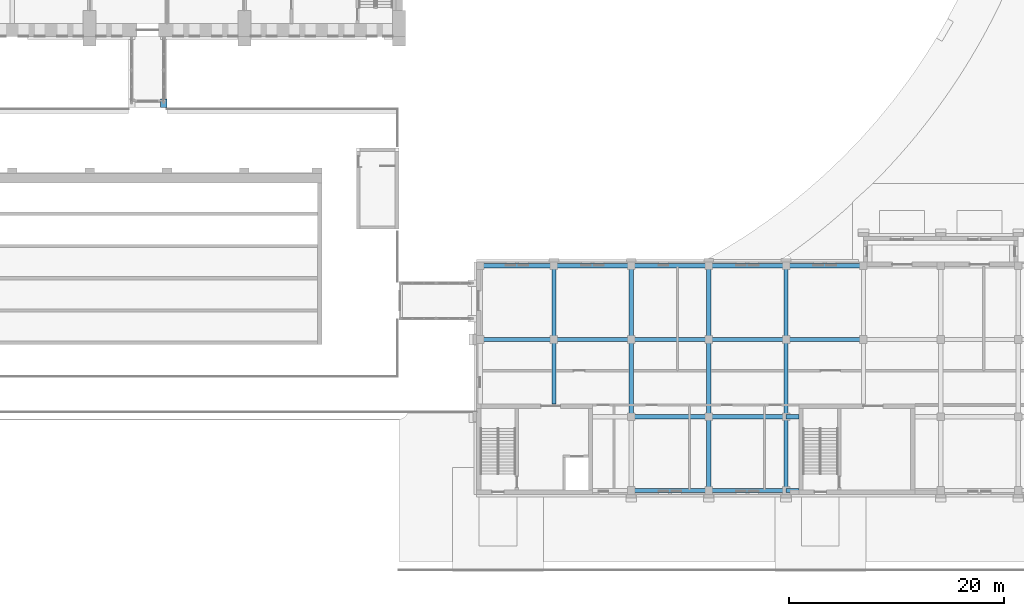
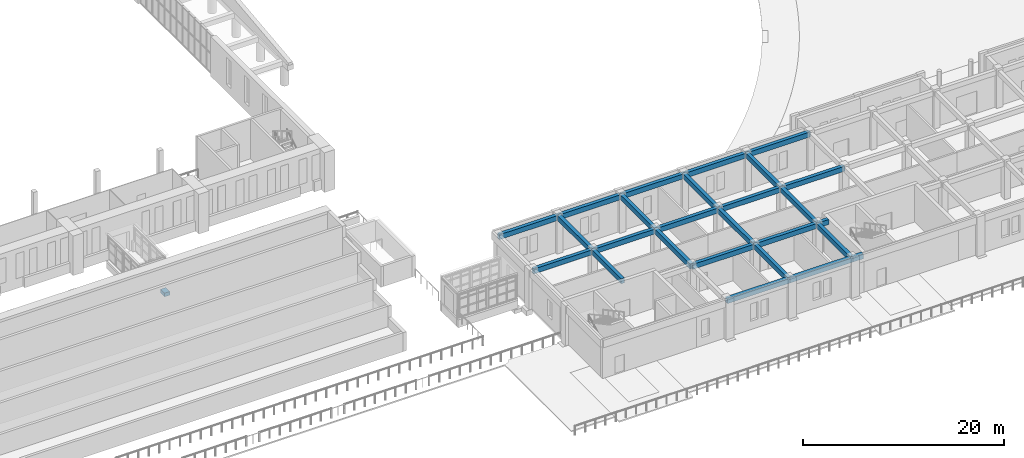
# One storey, part 48 of 131: 27 beams.
"""IFC4 building model written with IfcOpenShell, lengths in metres."""

from ifc_helpers import new_model, si_unit, direction, frame, origin, origin_2d, place, context, subcontext, project, spatial, rectangle, extrude, material, material_profile, profile_set, type_object, element, save


model = new_model("IFC4")

# Units and contexts
model_context = context("Model", 3, precision=1e-05, world=origin(), true_north=direction((0.0, 1.0)))
body_context = subcontext(model_context, "Body", "Model", "MODEL_VIEW")
ifc_project = project(units=[si_unit("LENGTHUNIT", "METRE"), si_unit("AREAUNIT", "SQUARE_METRE"), si_unit("VOLUMEUNIT", "CUBIC_METRE"), si_unit("PLANEANGLEUNIT", "RADIAN"), si_unit("MASSUNIT", "GRAM", prefix="KILO")], contexts=[model_context])

# Site, building, storey
site_placement = place(None, origin())
site = spatial("IfcSite", under=ifc_project, at=site_placement, CompositionType="ELEMENT")
building_placement = place(site_placement, origin())
building = spatial("IfcBuilding", under=site, at=building_placement, Name="Alderwick Market Hall", CompositionType="ELEMENT")
storey_placement = place(building_placement, frame((0.0, 0.0, 4.800048828125)))
storey = spatial("IfcBuildingStorey", under=building, at=storey_placement, Name="L00", CompositionType="ELEMENT", Elevation=4.800048828125)

# Beams
ifc_material = material(Name="Concrete 5000 psi (f'c 35 MPa)", Category="concrete")
ifc_material_profile_1 = material_profile(ifc_material, rectangle(XDim=0.39990234375, YDim=0.60009765625, at=origin_2d()), Name="RC 400x600")
ifc_profile_set_1 = profile_set([ifc_material_profile_1], Name="Concrete 5000 psi (f'c 35 MPa)")
beam_type_1 = type_object("IfcBeamType", Name="C Floor Beam RC 400x600", PredefinedType="BEAM", material=ifc_profile_set_1)
beam_1_placement = place(storey_placement, frame((158.75, 28.449951171875, 4.25), z_axis=(1.0, 0.0, 0.0), x_axis=(0.0, 1.0, 0.0)))
element("IfcBeam", 1, at=beam_1_placement, inside=storey, type_object=beam_type_1, Name="C.beam.L00.001", PredefinedType="BEAM", context=body_context, shape_type="SweptSolid", body=[
    extrude(rectangle(XDim=0.39990234375, YDim=0.60009765625, at=origin_2d()), origin(), (0.0, 0.0, 1.0), 6.85009765625),
])
for number, where, z_axis, x_axis, name in (
    (2, (165.60009765625, 28.449951171875, 4.25), (1.0, 0.0, 0.0), (0.0, 1.0, 0.0), "C.beam.L00.002"),
    (3, (172.800048828125, 28.449951171875, 4.25), (1.0, 0.0, 0.0), (0.0, 1.0, 0.0), "C.beam.L00.003"),
    (4, (180.0, 28.449951171875, 4.25), (1.0, 0.0, 0.0), (0.0, 1.0, 0.0), "C.beam.L00.004"),
    (5, (187.199951171875, 28.449951171875, 4.25), (1.0, 0.0, 0.0), (0.0, 1.0, 0.0), "C.beam.L00.005"),
):
    element("IfcBeam", number, at=place(storey_placement, frame(where, z_axis=z_axis, x_axis=x_axis)), inside=storey, type_object=beam_type_1, Name=name, PredefinedType="BEAM", context=body_context, shape_type="SweptSolid", body=[
        extrude(rectangle(XDim=0.39990234375, YDim=0.60009765625, at=origin_2d()), origin(), (0.0, 0.0, 1.0), 7.199951171875),
    ])
beam_2_placement = place(storey_placement, frame((158.75, 21.60009765625, 4.25), z_axis=(1.0, 0.0, 0.0), x_axis=(0.0, 1.0, 0.0)))
element("IfcBeam", 6, at=beam_2_placement, inside=storey, type_object=beam_type_1, Name="C.beam.L00.011", PredefinedType="BEAM", context=body_context, shape_type="SweptSolid", body=[
    extrude(rectangle(XDim=0.39990234375, YDim=0.60009765625, at=origin_2d()), origin(), (0.0, 0.0, 1.0), 6.85009765625),
])
for number, where, z_axis, x_axis, name in (
    (7, (165.60009765625, 21.60009765625, 4.25), (1.0, 0.0, 0.0), (0.0, 1.0, 0.0), "C.beam.L00.012"),
    (8, (172.800048828125, 21.60009765625, 4.25), (1.0, 0.0, 0.0), (0.0, 1.0, 0.0), "C.beam.L00.013"),
    (9, (180.0, 21.60009765625, 4.25), (1.0, 0.0, 0.0), (0.0, 1.0, 0.0), "C.beam.L00.014"),
    (10, (187.199951171875, 21.60009765625, 4.25), (1.0, 0.0, 0.0), (0.0, 1.0, 0.0), "C.beam.L00.015"),
    (11, (172.800048828125, 14.39990234375, 4.25), (1.0, 0.0, 0.0), (0.0, 1.0, 0.0), "C.beam.L00.022"),
    (12, (180.0, 14.39990234375, 4.25), (1.0, 0.0, 0.0), (0.0, 1.0, 0.0), "C.beam.L00.023"),
):
    element("IfcBeam", number, at=place(storey_placement, frame(where, z_axis=z_axis, x_axis=x_axis)), inside=storey, type_object=beam_type_1, Name=name, PredefinedType="BEAM", context=body_context, shape_type="SweptSolid", body=[
        extrude(rectangle(XDim=0.39990234375, YDim=0.60009765625, at=origin_2d()), origin(), (0.0, 0.0, 1.0), 7.199951171875),
    ])
beam_3_placement = place(storey_placement, frame((187.199951171875, 14.39990234375, 4.25), z_axis=(1.0, 0.0, 0.0), x_axis=(0.0, 1.0, 0.0)))
element("IfcBeam", 13, at=beam_3_placement, inside=storey, type_object=beam_type_1, Name="C.beam.L00.024", PredefinedType="BEAM", context=body_context, shape_type="SweptSolid", body=[
    extrude(rectangle(XDim=0.39990234375, YDim=0.60009765625, at=origin_2d()), origin(), (0.0, 0.0, 1.0), 1.200927734375),
])
for number, where, z_axis, x_axis, name in (
    (14, (172.800048828125, 7.550048828125, 4.25), (1.0, 0.0, 0.0), (0.0, 1.0, 0.0), "C.beam.L00.030"),
    (15, (180.0, 7.550048828125, 4.25), (1.0, 0.0, 0.0), (0.0, 1.0, 0.0), "C.beam.L00.031"),
):
    element("IfcBeam", number, at=place(storey_placement, frame(where, z_axis=z_axis, x_axis=x_axis)), inside=storey, type_object=beam_type_1, Name=name, PredefinedType="BEAM", context=body_context, shape_type="SweptSolid", body=[
        extrude(rectangle(XDim=0.39990234375, YDim=0.60009765625, at=origin_2d()), origin(), (0.0, 0.0, 1.0), 7.199951171875),
    ])
beam_4_placement = place(storey_placement, frame((187.199951171875, 7.550048828125, 4.25), z_axis=(1.0, 0.0, 0.0), x_axis=(0.0, 1.0, 0.0)))
element("IfcBeam", 16, at=beam_4_placement, inside=storey, type_object=beam_type_1, Name="C.beam.L00.032", PredefinedType="BEAM", context=body_context, shape_type="SweptSolid", body=[
    extrude(rectangle(XDim=0.39990234375, YDim=0.60009765625, at=origin_2d()), origin(), (0.0, 0.0, 1.0), 1.200927734375),
])
beam_5_placement = place(storey_placement, frame((165.60009765625, 28.449951171875, 4.25), z_axis=(0.0, -1.0, 0.0), x_axis=(1.0, 0.0, 0.0)))
element("IfcBeam", 17, at=beam_5_placement, inside=storey, type_object=beam_type_1, Name="C.beam.L00.039", PredefinedType="BEAM", context=body_context, shape_type="SweptSolid", body=[
    extrude(rectangle(XDim=0.39990234375, YDim=0.60009765625, at=origin_2d()), origin(), (0.0, 0.0, 1.0), 6.849853515625),
])
beam_6_placement = place(storey_placement, frame((165.60009765625, 21.60009765625, 4.25), z_axis=(0.0, -1.0, 0.0), x_axis=(1.0, 0.0, 0.0)))
element("IfcBeam", 18, at=beam_6_placement, inside=storey, type_object=beam_type_1, Name="C.beam.L00.040", PredefinedType="BEAM", context=body_context, shape_type="SweptSolid", body=[
    extrude(rectangle(XDim=0.39990234375, YDim=0.60009765625, at=origin_2d()), origin(), (0.0, 0.0, 1.0), 6.0009765625),
])
beam_7_placement = place(storey_placement, frame((172.800048828125, 28.449951171875, 4.25), z_axis=(0.0, -1.0, 0.0), x_axis=(1.0, 0.0, 0.0)))
element("IfcBeam", 19, at=beam_7_placement, inside=storey, type_object=beam_type_1, Name="C.beam.L00.041", PredefinedType="BEAM", context=body_context, shape_type="SweptSolid", body=[
    extrude(rectangle(XDim=0.39990234375, YDim=0.60009765625, at=origin_2d()), origin(), (0.0, 0.0, 1.0), 6.849853515625),
])
beam_8_placement = place(storey_placement, frame((172.800048828125, 21.60009765625, 4.25), z_axis=(0.0, -1.0, 0.0), x_axis=(1.0, 0.0, 0.0)))
element("IfcBeam", 20, at=beam_8_placement, inside=storey, type_object=beam_type_1, Name="C.beam.L00.042", PredefinedType="BEAM", context=body_context, shape_type="SweptSolid", body=[
    extrude(rectangle(XDim=0.39990234375, YDim=0.60009765625, at=origin_2d()), origin(), (0.0, 0.0, 1.0), 7.2001953125),
])
beam_9_placement = place(storey_placement, frame((180.0, 28.449951171875, 4.25), z_axis=(0.0, -1.0, 0.0), x_axis=(1.0, 0.0, 0.0)))
element("IfcBeam", 21, at=beam_9_placement, inside=storey, type_object=beam_type_1, Name="C.beam.L00.044", PredefinedType="BEAM", context=body_context, shape_type="SweptSolid", body=[
    extrude(rectangle(XDim=0.39990234375, YDim=0.60009765625, at=origin_2d()), origin(), (0.0, 0.0, 1.0), 6.849853515625),
])
beam_10_placement = place(storey_placement, frame((180.0, 21.60009765625, 4.25), z_axis=(0.0, -1.0, 0.0), x_axis=(1.0, 0.0, 0.0)))
element("IfcBeam", 22, at=beam_10_placement, inside=storey, type_object=beam_type_1, Name="C.beam.L00.045", PredefinedType="BEAM", context=body_context, shape_type="SweptSolid", body=[
    extrude(rectangle(XDim=0.39990234375, YDim=0.60009765625, at=origin_2d()), origin(), (0.0, 0.0, 1.0), 7.2001953125),
])
for number, where, z_axis, x_axis, name in (
    (23, (180.0, 14.39990234375, 4.25), (0.0, -1.0, 0.0), (1.0, 0.0, 0.0), "C.beam.L00.046"),
    (24, (187.199951171875, 28.449951171875, 4.25), (0.0, -1.0, 0.0), (1.0, 0.0, 0.0), "C.beam.L00.047"),
):
    element("IfcBeam", number, at=place(storey_placement, frame(where, z_axis=z_axis, x_axis=x_axis)), inside=storey, type_object=beam_type_1, Name=name, PredefinedType="BEAM", context=body_context, shape_type="SweptSolid", body=[
        extrude(rectangle(XDim=0.39990234375, YDim=0.60009765625, at=origin_2d()), origin(), (0.0, 0.0, 1.0), 6.849853515625),
    ])
beam_11_placement = place(storey_placement, frame((187.199951171875, 21.60009765625, 4.25), z_axis=(0.0, -1.0, 0.0), x_axis=(1.0, 0.0, 0.0)))
element("IfcBeam", 25, at=beam_11_placement, inside=storey, type_object=beam_type_1, Name="C.beam.L00.048", PredefinedType="BEAM", context=body_context, shape_type="SweptSolid", body=[
    extrude(rectangle(XDim=0.39990234375, YDim=0.60009765625, at=origin_2d()), origin(), (0.0, 0.0, 1.0), 7.2001953125),
])
beam_12_placement = place(storey_placement, frame((187.199951171875, 14.39990234375, 4.25), z_axis=(0.0, -1.0, 0.0), x_axis=(1.0, 0.0, 0.0)))
element("IfcBeam", 26, at=beam_12_placement, inside=storey, type_object=beam_type_1, Name="C.beam.L00.049", PredefinedType="BEAM", context=body_context, shape_type="SweptSolid", body=[
    extrude(rectangle(XDim=0.39990234375, YDim=0.60009765625, at=origin_2d()), origin(), (0.0, 0.0, 1.0), 6.849853515625),
])
ifc_material_profile_2 = material_profile(ifc_material, rectangle(XDim=0.60009765625, YDim=0.449951171875, at=origin_2d()), Name="P RC Bearing Corbel 600x450")
ifc_profile_set_2 = profile_set([ifc_material_profile_2], Name="Concrete 5000 psi (f'c 35 MPa)")
beam_type_2 = type_object("IfcBeamType", Name="P RC Bearing Corbel 600x450", PredefinedType="USERDEFINED", material=ifc_profile_set_2)
beam_13_placement = place(storey_placement, frame((129.300048828125, 44.0, -1.39306640625), z_axis=(0.0, -1.0, 0.0), x_axis=(1.0, 0.0, 0.0)))
element("IfcBeam", 27, at=beam_13_placement, inside=storey, type_object=beam_type_2, Name="Bearing corbel", ObjectType="CORBEL", PredefinedType="USERDEFINED", context=body_context, shape_type="SweptSolid", body=[
    extrude(rectangle(XDim=0.60009765625, YDim=0.449951171875, at=origin_2d()), origin(), (0.0, 0.0, 1.0), 0.800048828125),
])

save(model, "model.ifc")
